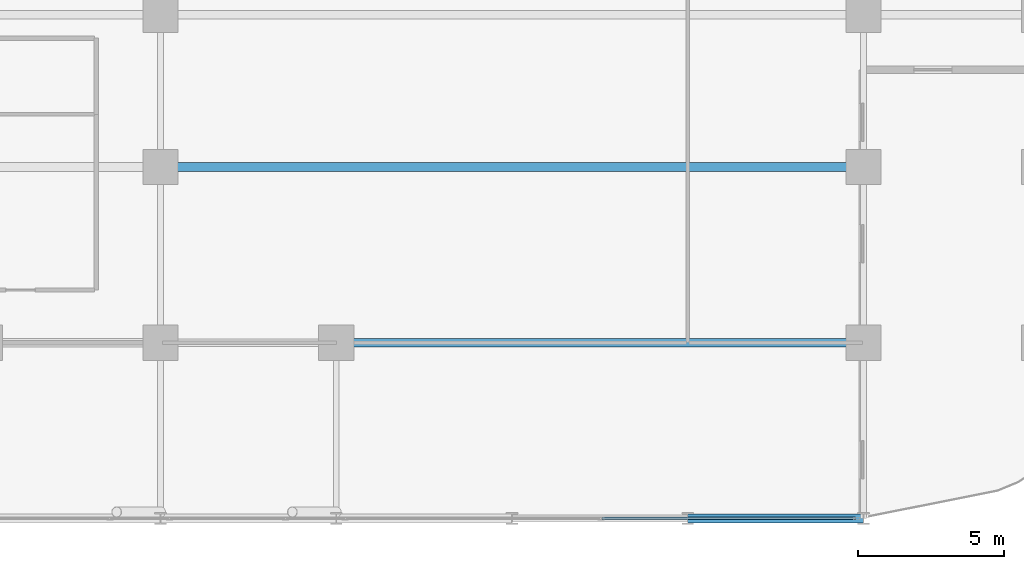
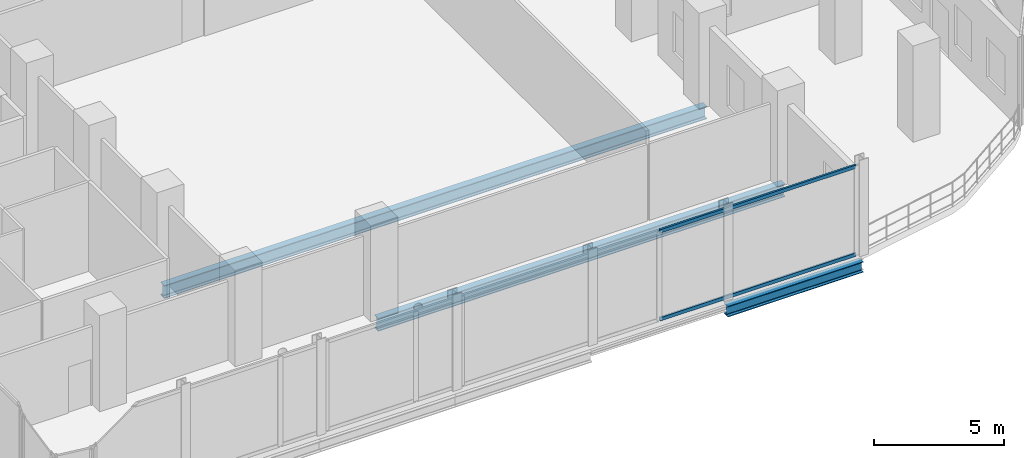
# One storey, part 9 of 30: 3 beams, 2 members, 1 element without a shape of its own.
"""IFC4 building model written with IfcOpenShell, lengths in metres."""

from ifc_helpers import new_model, si_unit, direction, frame, origin, origin_2d, place, context, subcontext, project, spatial, hollow_rectangle, i_section, extrude, material, layer, layer_set, material_profile, profile_set, type_object, element, aggregate, save


model = new_model("IFC4")

# Units and contexts
model_context = context("Model", 3, precision=1e-05, world=origin(), true_north=direction((0.0, 1.0)))
body_context = subcontext(model_context, "Body", "Model", "MODEL_VIEW")
ifc_project = project(units=[si_unit("LENGTHUNIT", "METRE"), si_unit("AREAUNIT", "SQUARE_METRE"), si_unit("VOLUMEUNIT", "CUBIC_METRE"), si_unit("PLANEANGLEUNIT", "RADIAN"), si_unit("MASSUNIT", "GRAM", prefix="KILO")], contexts=[model_context])

# Site, building, storey
site_placement = place(None, origin())
site = spatial("IfcSite", under=ifc_project, at=site_placement, CompositionType="ELEMENT")
building_placement = place(site_placement, origin())
building = spatial("IfcBuilding", under=site, at=building_placement, Name="Keshet Zoharim Tower", CompositionType="ELEMENT")
storey_placement = place(building_placement, frame((0.0, 0.0, 65.60009765625)))
storey = spatial("IfcBuildingStorey", under=building, at=storey_placement, Name="L15", CompositionType="ELEMENT", Elevation=65.60009765625)

# Beams
ifc_material_1 = material(Name="Steel S355", Category="steel")
ifc_material_profile_1 = material_profile(ifc_material_1, i_section(OverallWidth=0.300048828125, OverallDepth=0.60009765625, WebThickness=0.015380859375, FlangeThickness=0.030029296875, FilletRadius=0.027099609375, at=origin_2d()), Name="HEB600")
ifc_profile_set_1 = profile_set([ifc_material_profile_1], Name="Steel S355")
beam_type_1 = type_object("IfcBeamType", Name="BM-LNG-HB600", PredefinedType="BEAM", material=ifc_profile_set_1)
beam_1_placement = place(storey_placement, frame((39.0, 6.699951171875, -0.6201171875), z_axis=(1.0, 0.0, 0.0), x_axis=(0.0, 1.0, 0.0)))
element("IfcBeam", 1, at=beam_1_placement, inside=storey, type_object=beam_type_1, Name="L15 Primary Girder X-009", PredefinedType="BEAM", context=body_context, shape_type="SweptSolid", body=[
    extrude(i_section(OverallWidth=0.300048828125, OverallDepth=0.60009765625, WebThickness=0.015380859375, FlangeThickness=0.030029296875, FilletRadius=0.027099609375, at=origin_2d()), origin(), (0.0, 0.0, 1.0), 18.0),
])
beam_2_placement = place(storey_placement, frame((33.0, 12.699951171875, -0.6201171875), z_axis=(1.0, 0.0, 0.0), x_axis=(0.0, 1.0, 0.0)))
element("IfcBeam", 2, at=beam_2_placement, inside=storey, type_object=beam_type_1, Name="L15 Primary Girder X-011", PredefinedType="BEAM", context=body_context, shape_type="SweptSolid", body=[
    extrude(i_section(OverallWidth=0.300048828125, OverallDepth=0.60009765625, WebThickness=0.015380859375, FlangeThickness=0.030029296875, FilletRadius=0.027099609375, at=origin_2d()), origin(), (0.0, 0.0, 1.0), 24.0),
])
ifc_material_profile_2 = material_profile(ifc_material_1, i_section(OverallWidth=0.300048828125, OverallDepth=0.5, WebThickness=0.014404296875, FlangeThickness=0.028076171875, FilletRadius=0.027099609375, at=origin_2d()), Name="HEB500")
ifc_profile_set_2 = profile_set([ifc_material_profile_2], Name="Steel S355")
beam_type_2 = type_object("IfcBeamType", Name="BM-WEB-HB500", PredefinedType="BEAM", material=ifc_profile_set_2)
beam_3_placement = place(storey_placement, frame((51.0, 0.699951171875, -0.570068359375), z_axis=(1.0, 0.0, 0.0), x_axis=(0.0, 1.0, 0.0)))
element("IfcBeam", 3, at=beam_3_placement, inside=storey, type_object=beam_type_2, Name="L15 Primary Girder X-005", PredefinedType="BEAM", context=body_context, shape_type="SweptSolid", body=[
    extrude(i_section(OverallWidth=0.300048828125, OverallDepth=0.5, WebThickness=0.014404296875, FlangeThickness=0.028076171875, FilletRadius=0.027099609375, at=origin_2d()), origin(), (0.0, 0.0, 1.0), 6.0),
])

# Curtain wall, members
ifc_material_2 = material(Name="Aluminium 6063-T6", Category="aluminium")
ifc_layer = layer(ifc_material_2, 0.179931640625)
ifc_layer_set = layer_set([ifc_layer], Name="Aluminium 6063-T6")
curtain_wall_type = type_object("IfcCurtainWallType", Name="CW-SYS-01", PredefinedType="NOTDEFINED", material=ifc_layer_set)
curtain_wall_placement = place(storey_placement, origin())
curtain_wall = element("IfcCurtainWall", 4, at=curtain_wall_placement, inside=storey, type_object=curtain_wall_type, Name="L15 Unitised Curtain Wall 19", PredefinedType="NOTDEFINED")
ifc_material_profile_3 = material_profile(ifc_material_2, hollow_rectangle(XDim=0.0849609375, YDim=0.159912109375, WallThickness=0.00439453125, at=origin_2d()), Name="TRN-85x160")
ifc_profile_set_3 = profile_set([ifc_material_profile_3], Name="Aluminium 6063-T6")
member_type = type_object("IfcMemberType", Name="CWT-T16", PredefinedType="USERDEFINED", material=ifc_profile_set_3)
member_1_placement = place(storey_placement, frame((56.73291015625, 0.699951171875, 0.034912109375), z_axis=(-1.0, 0.0, 0.0), x_axis=(0.0, -1.0, 0.0)))
member_1 = element("IfcMember", 5, at=member_1_placement, type_object=member_type, Name="CW-01 transom 1.1", ObjectType="TRANSOM", PredefinedType="USERDEFINED", context=body_context, shape_type="SweptSolid", body=[
    extrude(hollow_rectangle(XDim=0.0849609375, YDim=0.159912109375, WallThickness=0.00439453125, at=origin_2d()), origin(), (0.0, 0.0, 1.0), 8.66259765625),
])
member_2_placement = place(storey_placement, frame((56.73291015625, 0.699951171875, 4.14990234375), z_axis=(-1.0, 0.0, 0.0), x_axis=(0.0, -1.0, 0.0)))
member_2 = element("IfcMember", 6, at=member_2_placement, type_object=member_type, Name="CW-01 transom 1.2", ObjectType="TRANSOM", PredefinedType="USERDEFINED", context=body_context, shape_type="SweptSolid", body=[
    extrude(hollow_rectangle(XDim=0.0849609375, YDim=0.159912109375, WallThickness=0.00439453125, at=origin_2d()), origin(), (0.0, 0.0, 1.0), 8.66259765625),
])
aggregate(curtain_wall, [member_1, member_2])

save(model, "model.ifc")
